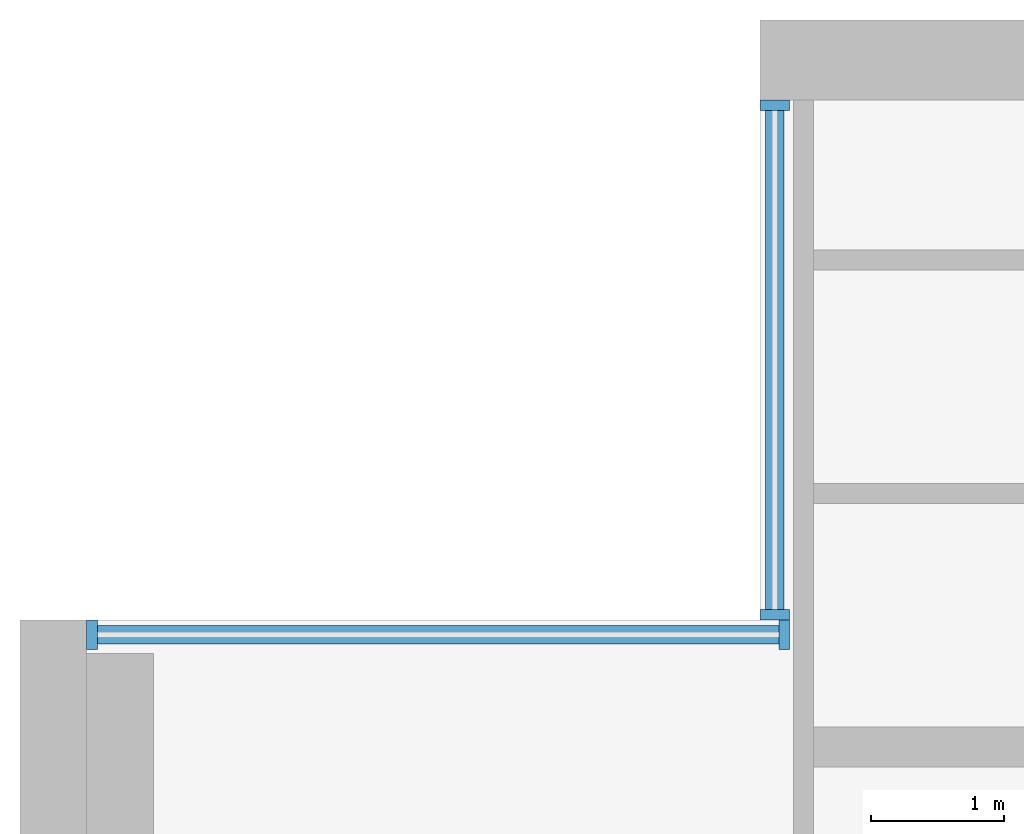
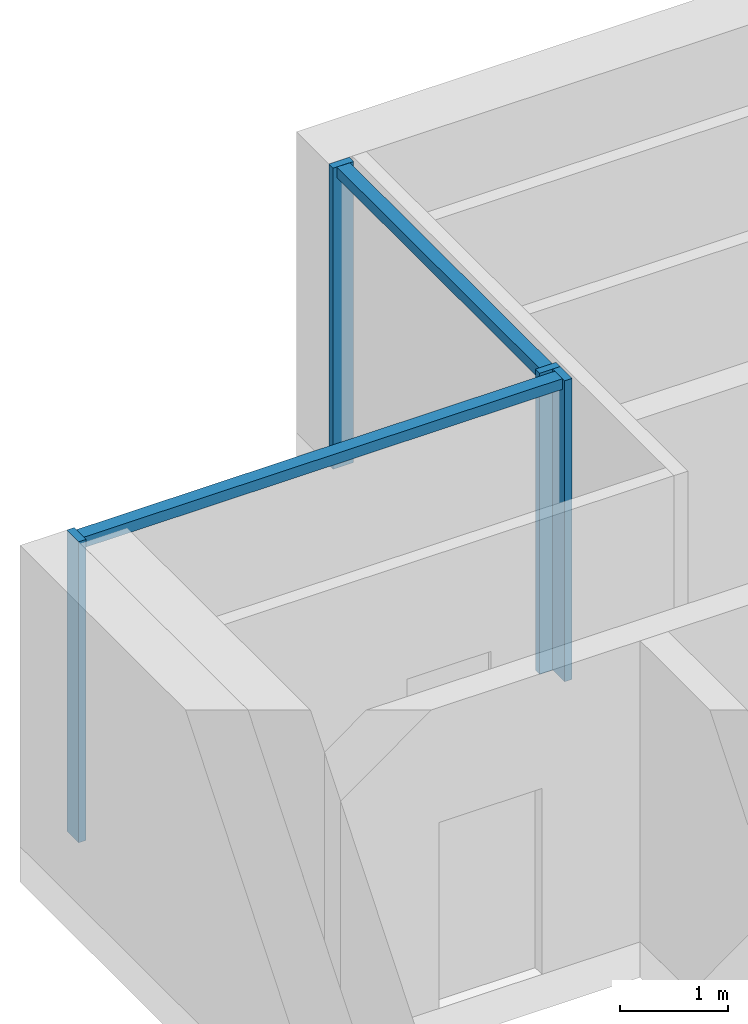
# One storey, part 4 of 14: 6 members, 2 elements without a shape of their own.
"""IFC4 building model written with IfcOpenShell, lengths in metres."""

from ifc_helpers import new_model, si_unit, direction, frame, origin, origin_2d, place, context, subcontext, project, spatial, rectangle, extrude, material, material_profile, profile_set, type_object, element, aggregate, save


model = new_model("IFC4")

# Units and contexts
model_context = context("Model", 3, precision=1e-05, world=origin(), true_north=direction((0.0, 1.0)))
body_context = subcontext(model_context, "Body", "Model", "MODEL_VIEW")
ifc_project = project(units=[si_unit("LENGTHUNIT", "METRE"), si_unit("AREAUNIT", "SQUARE_METRE"), si_unit("VOLUMEUNIT", "CUBIC_METRE"), si_unit("PLANEANGLEUNIT", "RADIAN"), si_unit("MASSUNIT", "GRAM", prefix="KILO")], contexts=[model_context])

# Site, building, storey
site_placement = place(None, origin())
site = spatial("IfcSite", under=ifc_project, at=site_placement, CompositionType="ELEMENT")
building_placement = place(site_placement, origin())
building = spatial("IfcBuilding", under=site, at=building_placement, Name="Calvaro Tower", CompositionType="ELEMENT")
storey_placement = place(building_placement, frame((0.0, 0.0, 254.550048828125)))
storey = spatial("IfcBuildingStorey", under=building, at=storey_placement, Name="L64", CompositionType="ELEMENT", Elevation=254.550048828125)

# Curtain wall, members
ifc_material_1 = material(Name="Anodised aluminium", Category="aluminium")
curtain_wall_type = type_object("IfcCurtainWallType", Name="Executive curtain wall", PredefinedType="NOTDEFINED", material=ifc_material_1)
curtain_wall_1_placement = place(storey_placement, origin())
curtain_wall_1 = element("IfcCurtainWall", 1, at=curtain_wall_1_placement, inside=storey, type_object=curtain_wall_type, Name="CW4 corner curtain wall", PredefinedType="NOTDEFINED")
ifc_material_2 = material(Name="Anodised aluminium", Category="aluminium")
ifc_material_profile_1 = material_profile(ifc_material_2, rectangle(XDim=0.219970703125, YDim=0.080078125, at=origin_2d()), Name="Mullion S4 80 x 220")
ifc_profile_set_1 = profile_set([ifc_material_profile_1], Name="Anodised aluminium")
member_type_1 = type_object("IfcMemberType", Name="Mullion S4 80 x 220", PredefinedType="MULLION", material=ifc_profile_set_1)
member_1_placement = place(storey_placement, frame((11.659912109375, 41.5400390625, 0.0), z_axis=(0.0, 0.0, 1.0), x_axis=(-1.0, 0.0, 0.0)))
member_1 = element("IfcMember", 2, at=member_1_placement, type_object=member_type_1, Name="CW4 mullion 1", PredefinedType="MULLION", context=body_context, shape_type="SweptSolid", body=[
    extrude(rectangle(XDim=0.219970703125, YDim=0.080078125, at=origin_2d()), origin(), (0.0, 0.0, 1.0), 3.39990234375),
])
member_2_placement = place(storey_placement, frame((11.659912109375, 45.360107421875, 0.0), z_axis=(0.0, 0.0, 1.0), x_axis=(-1.0, 0.0, 0.0)))
member_2 = element("IfcMember", 3, at=member_2_placement, type_object=member_type_1, Name="CW4 mullion 2", PredefinedType="MULLION", context=body_context, shape_type="SweptSolid", body=[
    extrude(rectangle(XDim=0.219970703125, YDim=0.080078125, at=origin_2d()), origin(), (0.0, 0.0, 1.0), 3.39990234375),
])

curtain_wall_2_placement = place(storey_placement, origin())
curtain_wall_2 = element("IfcCurtainWall", 4, at=curtain_wall_2_placement, inside=storey, type_object=curtain_wall_type, Name="CW4 corner curtain wall", PredefinedType="NOTDEFINED")
member_3_placement = place(storey_placement, frame((6.5400390625, 41.389892578125, 0.0), z_axis=(0.0, 0.0, 1.0), x_axis=(0.0, 1.0, 0.0)))
member_3 = element("IfcMember", 5, at=member_3_placement, type_object=member_type_1, Name="CW4 mullion 1", PredefinedType="MULLION", context=body_context, shape_type="SweptSolid", body=[
    extrude(rectangle(XDim=0.219970703125, YDim=0.080078125, at=origin_2d()), origin(), (0.0, 0.0, 1.0), 3.39990234375),
])
member_4_placement = place(storey_placement, frame((11.72998046875, 41.389892578125, 0.0), z_axis=(0.0, 0.0, 1.0), x_axis=(0.0, 1.0, 0.0)))
member_4 = element("IfcMember", 6, at=member_4_placement, type_object=member_type_1, Name="CW4 mullion 2", PredefinedType="MULLION", context=body_context, shape_type="SweptSolid", body=[
    extrude(rectangle(XDim=0.219970703125, YDim=0.080078125, at=origin_2d()), origin(), (0.0, 0.0, 1.0), 3.39990234375),
])

# Member
ifc_material_3 = material(Name="Anodised aluminium", Category="aluminium")
ifc_material_profile_2 = material_profile(ifc_material_3, rectangle(XDim=0.139892578125, YDim=0.1201171875, at=origin_2d()), Name="Transom S4 120 x 140")
ifc_profile_set_2 = profile_set([ifc_material_profile_2], Name="Anodised aluminium")
member_type_2 = type_object("IfcMemberType", Name="Transom S4 120 x 140", PredefinedType="USERDEFINED", material=ifc_profile_set_2)
member_5_placement = place(storey_placement, frame((11.659912109375, 41.580078125, 3.33984375), z_axis=(0.0, 1.0, 0.0), x_axis=(-1.0, 0.0, 0.0)))
member_5 = element("IfcMember", 7, at=member_5_placement, type_object=member_type_2, Name="CW4 transom 1.1", ObjectType="TRANSOM", PredefinedType="USERDEFINED", context=body_context, shape_type="SweptSolid", body=[
    extrude(rectangle(XDim=0.139892578125, YDim=0.1201171875, at=origin_2d()), origin(), (0.0, 0.0, 1.0), 3.739990234375),
])

aggregate(curtain_wall_1, [member_1, member_2, member_5])

member_6_placement = place(storey_placement, frame((6.580078125, 41.389892578125, 3.33984375), z_axis=(1.0, 0.0, 0.0), x_axis=(0.0, 1.0, 0.0)))
member_6 = element("IfcMember", 8, at=member_6_placement, type_object=member_type_2, Name="CW4 transom 1.1", ObjectType="TRANSOM", PredefinedType="USERDEFINED", context=body_context, shape_type="SweptSolid", body=[
    extrude(rectangle(XDim=0.139892578125, YDim=0.1201171875, at=origin_2d()), origin(), (0.0, 0.0, 1.0), 5.10986328125),
])

aggregate(curtain_wall_2, [member_3, member_4, member_6])

save(model, "model.ifc")
